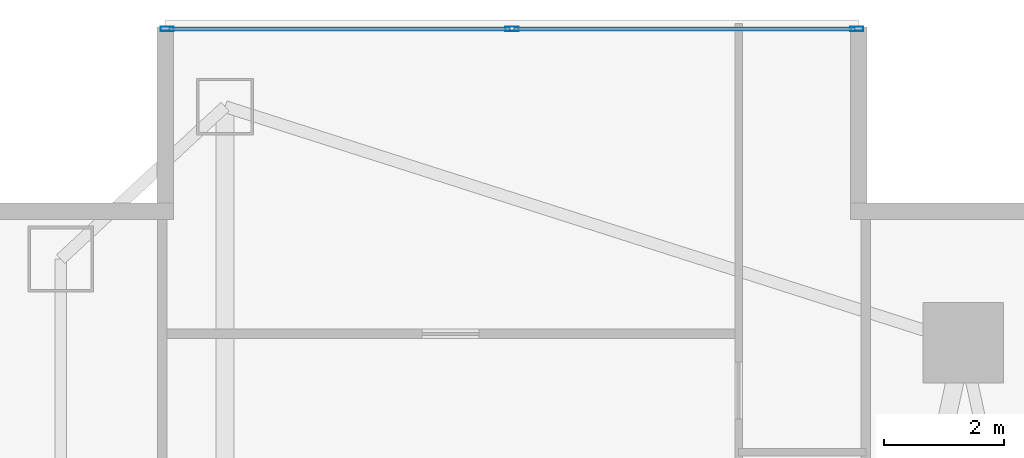
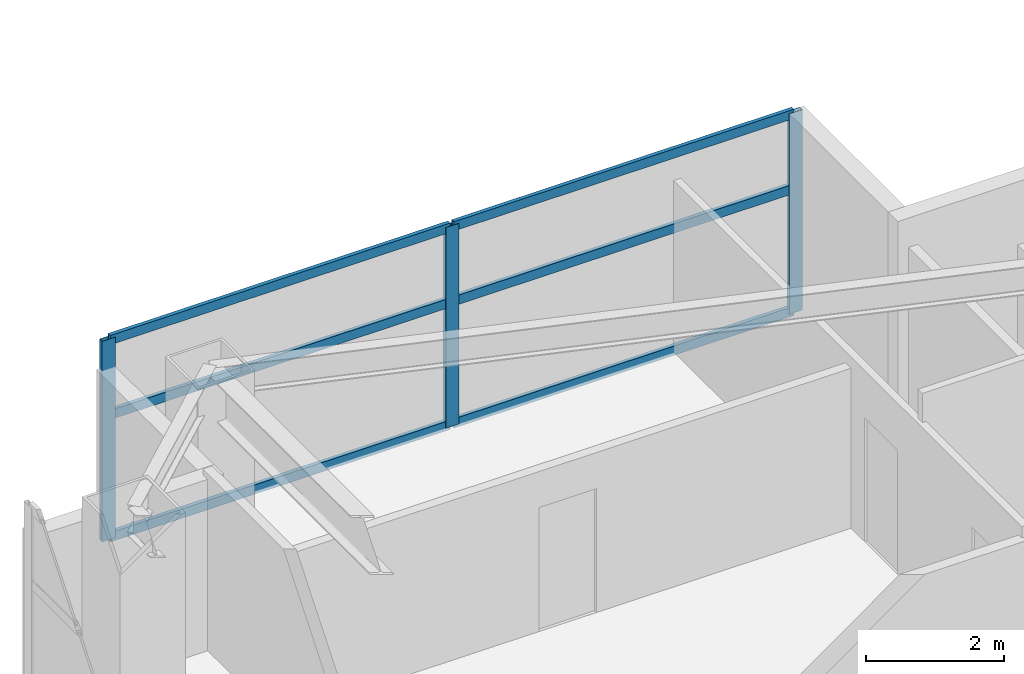
# One storey, part 19 of 30: 9 members, 1 element without a shape of its own.
"""IFC4 building model written with IfcOpenShell, lengths in metres."""

from ifc_helpers import new_model, si_unit, direction, frame, origin, origin_2d, place, context, subcontext, project, spatial, hollow_rectangle, extrude, material, layer, layer_set, material_profile, profile_set, type_object, element, aggregate, save


model = new_model("IFC4")

# Units and contexts
model_context = context("Model", 3, precision=1e-05, world=origin(), true_north=direction((0.0, 1.0)))
body_context = subcontext(model_context, "Body", "Model", "MODEL_VIEW")
ifc_project = project(units=[si_unit("LENGTHUNIT", "METRE"), si_unit("AREAUNIT", "SQUARE_METRE"), si_unit("VOLUMEUNIT", "CUBIC_METRE"), si_unit("PLANEANGLEUNIT", "RADIAN"), si_unit("MASSUNIT", "GRAM", prefix="KILO")], contexts=[model_context])

# Site, building, storey
site_placement = place(None, origin())
site = spatial("IfcSite", under=ifc_project, at=site_placement, CompositionType="ELEMENT")
building_placement = place(site_placement, origin())
building = spatial("IfcBuilding", under=site, at=building_placement, Name="Calvorn Quay Hotel", CompositionType="ELEMENT")
storey_placement = place(building_placement, frame((0.0, 0.0, 27.0)))
storey = spatial("IfcBuildingStorey", under=building, at=storey_placement, Name="L05", CompositionType="ELEMENT", Elevation=27.0)

# Curtain wall, members
ifc_material_1 = material(Name="Pale Anodised Aluminium and Low-E Glass", Category="aluminium")
ifc_layer = layer(ifc_material_1, 0.219970703125)
ifc_layer_set = layer_set([ifc_layer], Name="CW-SYS-Z1")
curtain_wall_type = type_object("IfcCurtainWallType", Name="CW-SYS-Z1", PredefinedType="NOTDEFINED", material=ifc_layer_set)
curtain_wall_placement = place(storey_placement, origin())
curtain_wall = element("IfcCurtainWall", 1, at=curtain_wall_placement, inside=storey, type_object=curtain_wall_type, Name="Inner Court Curtain Wall L05-N1", PredefinedType="NOTDEFINED")
ifc_material_2 = material(Name="Pale Anodised Aluminium 6063-T6", Category="aluminium")
ifc_material_profile_1 = material_profile(ifc_material_2, hollow_rectangle(XDim=0.074951171875, YDim=0.219970703125, WallThickness=0.00439453125, at=origin_2d()), Name="ALU-M220x75x4.5")
ifc_profile_set_1 = profile_set([ifc_material_profile_1], Name="Pale Anodised Aluminium 6063-T6")
member_type_1 = type_object("IfcMemberType", Name="CW-SYS-Z1-MUL", PredefinedType="MULLION", material=ifc_profile_set_1)
member_1_placement = place(storey_placement, frame((14.77001953125, 50.85009765625, 0.0), z_axis=(0.0, 0.0, 1.0), x_axis=(0.0, -1.0, 0.0)))
member_1 = element("IfcMember", 2, at=member_1_placement, type_object=member_type_1, Name="CW-L05-N1 mullion 1", PredefinedType="MULLION", context=body_context, shape_type="SweptSolid", body=[
    extrude(hollow_rectangle(XDim=0.074951171875, YDim=0.219970703125, WallThickness=0.00439453125, at=origin_2d()), origin(), (0.0, 0.0, 1.0), 3.56005859375),
])
member_2_placement = place(storey_placement, frame((9.0, 50.85009765625, 0.0), z_axis=(0.0, 0.0, 1.0), x_axis=(0.0, -1.0, 0.0)))
member_2 = element("IfcMember", 3, at=member_2_placement, type_object=member_type_1, Name="CW-L05-N1 mullion 2", PredefinedType="MULLION", context=body_context, shape_type="SweptSolid", body=[
    extrude(hollow_rectangle(XDim=0.074951171875, YDim=0.219970703125, WallThickness=0.00439453125, at=origin_2d()), origin(), (0.0, 0.0, 1.0), 3.56005859375),
])
member_3_placement = place(storey_placement, frame((3.22998046875, 50.85009765625, 0.0), z_axis=(0.0, 0.0, 1.0), x_axis=(0.0, -1.0, 0.0)))
member_3 = element("IfcMember", 4, at=member_3_placement, type_object=member_type_1, Name="CW-L05-N1 mullion 3", PredefinedType="MULLION", context=body_context, shape_type="SweptSolid", body=[
    extrude(hollow_rectangle(XDim=0.074951171875, YDim=0.219970703125, WallThickness=0.00439453125, at=origin_2d()), origin(), (0.0, 0.0, 1.0), 3.56005859375),
])
ifc_material_3 = material(Name="Pale Anodised Aluminium 6063-T6", Category="aluminium")
ifc_material_profile_2 = material_profile(ifc_material_3, hollow_rectangle(XDim=0.06494140625, YDim=0.1650390625, WallThickness=0.00341796875, at=origin_2d()), Name="ALU-T165x65x3.5")
ifc_profile_set_2 = profile_set([ifc_material_profile_2], Name="Pale Anodised Aluminium 6063-T6")
member_type_2 = type_object("IfcMemberType", Name="CW-SYS-Z1-TRN", PredefinedType="USERDEFINED", material=ifc_profile_set_2)
member_4_placement = place(storey_placement, frame((14.739990234375, 50.85009765625, 0.030029296875), z_axis=(-1.0, 0.0, 0.0), x_axis=(0.0, -1.0, 0.0)))
member_4 = element("IfcMember", 5, at=member_4_placement, type_object=member_type_2, Name="CW-L05-N1 transom 1.1", ObjectType="TRANSOM", PredefinedType="USERDEFINED", context=body_context, shape_type="SweptSolid", body=[
    extrude(hollow_rectangle(XDim=0.06494140625, YDim=0.1650390625, WallThickness=0.00341796875, at=origin_2d()), origin(), (0.0, 0.0, 1.0), 5.7099609375),
])
member_5_placement = place(storey_placement, frame((14.739990234375, 50.85009765625, 2.199951171875), z_axis=(-1.0, 0.0, 0.0), x_axis=(0.0, -1.0, 0.0)))
member_5 = element("IfcMember", 6, at=member_5_placement, type_object=member_type_2, Name="CW-L05-N1 transom 1.2", ObjectType="TRANSOM", PredefinedType="USERDEFINED", context=body_context, shape_type="SweptSolid", body=[
    extrude(hollow_rectangle(XDim=0.06494140625, YDim=0.1650390625, WallThickness=0.00341796875, at=origin_2d()), origin(), (0.0, 0.0, 1.0), 5.7099609375),
])
member_6_placement = place(storey_placement, frame((14.739990234375, 50.85009765625, 3.530029296875), z_axis=(-1.0, 0.0, 0.0), x_axis=(0.0, -1.0, 0.0)))
member_6 = element("IfcMember", 7, at=member_6_placement, type_object=member_type_2, Name="CW-L05-N1 transom 1.3", ObjectType="TRANSOM", PredefinedType="USERDEFINED", context=body_context, shape_type="SweptSolid", body=[
    extrude(hollow_rectangle(XDim=0.06494140625, YDim=0.1650390625, WallThickness=0.00341796875, at=origin_2d()), origin(), (0.0, 0.0, 1.0), 5.7099609375),
])
member_7_placement = place(storey_placement, frame((8.969970703125, 50.85009765625, 0.030029296875), z_axis=(-1.0, 0.0, 0.0), x_axis=(0.0, -1.0, 0.0)))
member_7 = element("IfcMember", 8, at=member_7_placement, type_object=member_type_2, Name="CW-L05-N1 transom 2.1", ObjectType="TRANSOM", PredefinedType="USERDEFINED", context=body_context, shape_type="SweptSolid", body=[
    extrude(hollow_rectangle(XDim=0.06494140625, YDim=0.1650390625, WallThickness=0.00341796875, at=origin_2d()), origin(), (0.0, 0.0, 1.0), 5.7099609375),
])
member_8_placement = place(storey_placement, frame((8.969970703125, 50.85009765625, 2.199951171875), z_axis=(-1.0, 0.0, 0.0), x_axis=(0.0, -1.0, 0.0)))
member_8 = element("IfcMember", 9, at=member_8_placement, type_object=member_type_2, Name="CW-L05-N1 transom 2.2", ObjectType="TRANSOM", PredefinedType="USERDEFINED", context=body_context, shape_type="SweptSolid", body=[
    extrude(hollow_rectangle(XDim=0.06494140625, YDim=0.1650390625, WallThickness=0.00341796875, at=origin_2d()), origin(), (0.0, 0.0, 1.0), 5.7099609375),
])
member_9_placement = place(storey_placement, frame((8.969970703125, 50.85009765625, 3.530029296875), z_axis=(-1.0, 0.0, 0.0), x_axis=(0.0, -1.0, 0.0)))
member_9 = element("IfcMember", 10, at=member_9_placement, type_object=member_type_2, Name="CW-L05-N1 transom 2.3", ObjectType="TRANSOM", PredefinedType="USERDEFINED", context=body_context, shape_type="SweptSolid", body=[
    extrude(hollow_rectangle(XDim=0.06494140625, YDim=0.1650390625, WallThickness=0.00341796875, at=origin_2d()), origin(), (0.0, 0.0, 1.0), 5.7099609375),
])
aggregate(curtain_wall, [member_1, member_2, member_3, member_4, member_5, member_6, member_7, member_8, member_9])

save(model, "model.ifc")
